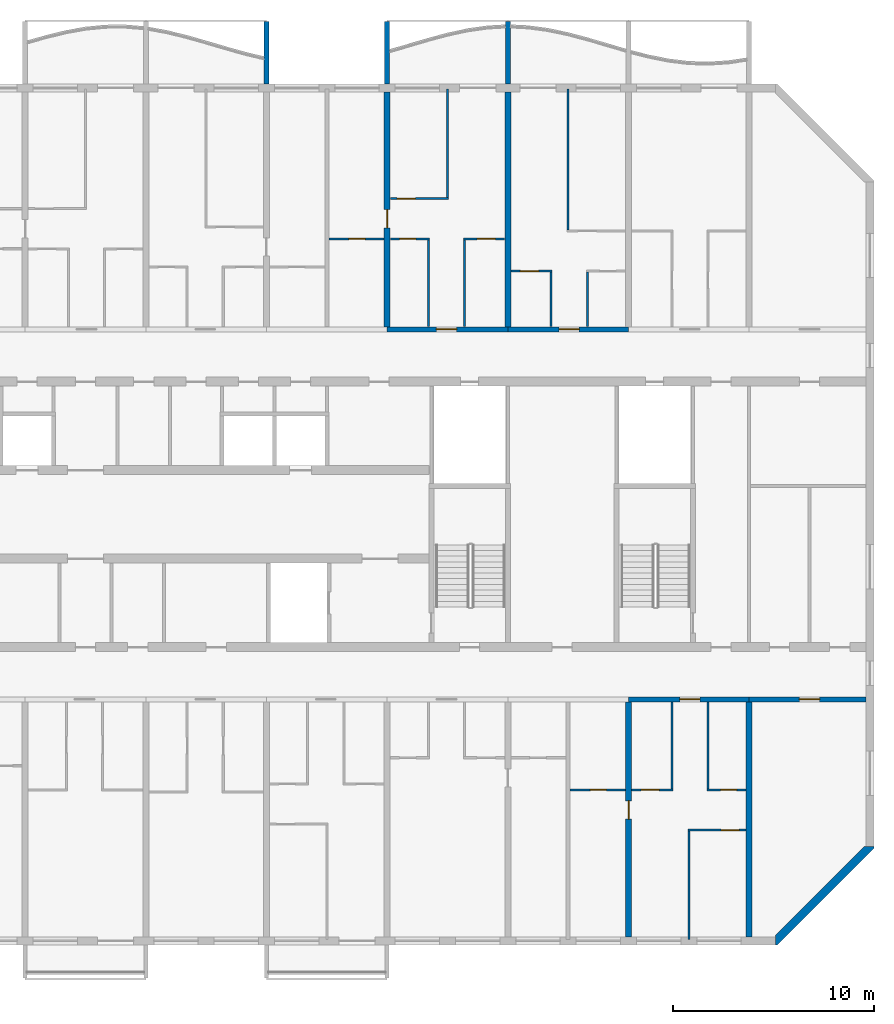
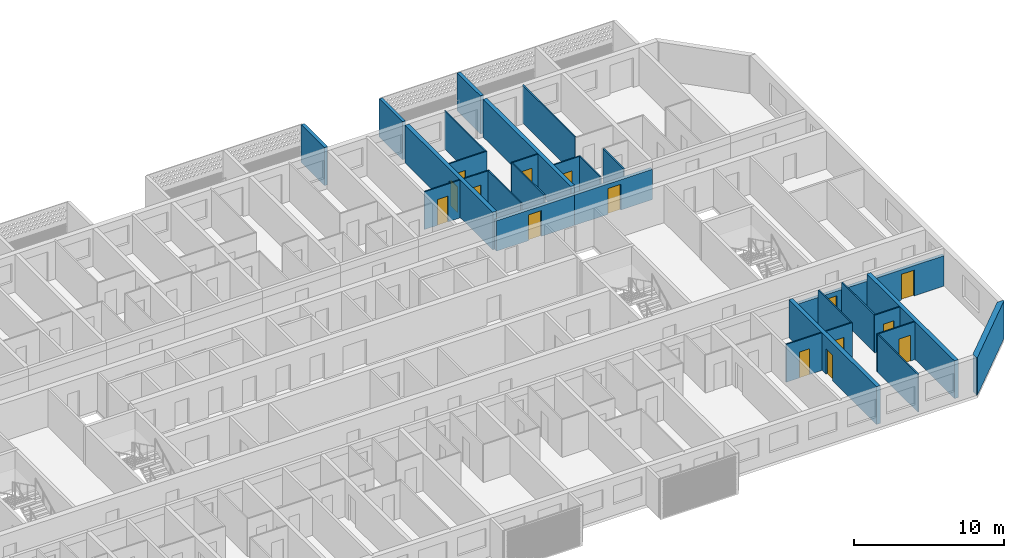
# One storey, part 11 of 31: 30 walls, 15 doors, 15 openings.
"""IFC4 building model written with IfcOpenShell, lengths in metres."""

from ifc_helpers import new_model, si_unit, direction, frame, frame_2d, origin, place, context, subcontext, project, spatial, polyline, rectangle, outline, extrude, source, transform, mapped, material, layer, layer_set, type_object, element, fill, save


model = new_model("IFC4")

# Units and contexts
model_context = context("Model", 3, precision=1e-05, world=origin(), true_north=direction((0.0, 1.0)))
body_context = subcontext(model_context, "Body", "Model", "MODEL_VIEW")
ifc_project = project(units=[si_unit("LENGTHUNIT", "METRE"), si_unit("AREAUNIT", "SQUARE_METRE"), si_unit("VOLUMEUNIT", "CUBIC_METRE"), si_unit("PLANEANGLEUNIT", "RADIAN"), si_unit("MASSUNIT", "GRAM", prefix="KILO")], contexts=[model_context])

# Site, building, storey
site_placement = place(None, origin())
site = spatial("IfcSite", under=ifc_project, at=site_placement, CompositionType="ELEMENT")
building_placement = place(site_placement, origin())
building = spatial("IfcBuilding", under=site, at=building_placement, Name="Poui Terraces", CompositionType="ELEMENT")
storey_placement = place(building_placement, frame((0.0, 0.0, 148.800048828125)))
storey = spatial("IfcBuildingStorey", under=building, at=storey_placement, Name="L41", CompositionType="ELEMENT", Elevation=148.800048828125)

# Wall, opening, door
ifc_material_1 = material(Name="Concrete 65 MPa", Category="concrete")
ifc_layer_1 = layer(ifc_material_1, 0.25)
ifc_layer_set_1 = layer_set([ifc_layer_1], Name="Concrete 65 MPa")
wall_type_1 = type_object("IfcWallType", Name="CORRIDOR WALL 250 65MPa", PredefinedType="SHEAR", material=ifc_layer_set_1)
wall_1_placement = place(storey_placement, frame((78.0, 12.0, 0.0), z_axis=(0.0, 0.0, 1.0), x_axis=(1.0, 0.0, 0.0)))
wall_1 = element("IfcWall", 1, at=wall_1_placement, inside=storey, type_object=wall_type_1, Name="CORRIDOR WALL LINE B BAY 12", PredefinedType="SHEAR", context=body_context, shape_type="SweptSolid", body=[
    extrude(rectangle(XDim=6.0, YDim=0.25, at=frame_2d((3.0, 0.0))), origin(), (0.0, 0.0, 1.0), 2.469970703125),
])
opening_1_placement = place(wall_1_placement, frame((2.550048828125, 0.0, 0.0)))
opening_1 = element("IfcOpeningElement", 2, at=opening_1_placement, cuts=wall_1, Name="Opening FD30S", PredefinedType="OPENING", context=body_context, shape_type="SweptSolid", body=[
    extrude(rectangle(XDim=1.0, YDim=2.10009765625, at=frame_2d((0.5, 1.050048828125))), frame((0.0, 0.135009765625, 0.0), z_axis=(0.0, -1.0, 0.0), x_axis=(1.0, 0.0, 0.0)), (0.0, 0.0, 1.0), 0.27001953125),
])
ifc_material_2 = material(Name="Steel fire door", Category="steel")
door_type_1 = type_object("IfcDoorType", Name="FLAT ENTRANCE DOOR 1000 X 2100", OperationType="NOTDEFINED", PredefinedType="DOOR", material=ifc_material_2)
door_1_placement = place(opening_1_placement, frame((1.0, 0.0, 0.0), z_axis=(0.0, 0.0, 1.0), x_axis=(-1.0, 0.0, 0.0)))
door_1 = element("IfcDoor", 3, at=door_1_placement, inside=storey, type_object=door_type_1, Name="FLAT ENTRANCE DOOR 116", OperationType="SINGLE_SWING_LEFT", OverallHeight=2.10009765625, OverallWidth=1.0, PredefinedType="DOOR", context=body_context, shape_type="SweptSolid", body=[
    extrude(rectangle(XDim=1.0, YDim=2.10009765625, at=frame_2d((0.5, 1.050048828125))), frame((0.0, 0.02490234375, 0.0), z_axis=(0.0, -1.0, 0.0), x_axis=(1.0, 0.0, 0.0)), (0.0, 0.0, 1.0), 0.050048828125),
])
fill(opening_1, door_1)

wall_2_placement = place(storey_placement, frame((84.0, 12.0, 0.0), z_axis=(0.0, 0.0, 1.0), x_axis=(1.0, 0.0, 0.0)))
wall_2 = element("IfcWall", 4, at=wall_2_placement, inside=storey, type_object=wall_type_1, Name="CORRIDOR WALL LINE B BAY 13", PredefinedType="SHEAR", context=body_context, shape_type="SweptSolid", body=[
    extrude(rectangle(XDim=5.800048828125, YDim=0.25, at=frame_2d((2.89990234375, 0.0))), origin(), (0.0, 0.0, 1.0), 2.469970703125),
])
opening_2_placement = place(wall_2_placement, frame((2.5, 0.0, 0.0)))
opening_2 = element("IfcOpeningElement", 5, at=opening_2_placement, cuts=wall_2, Name="Opening D100", PredefinedType="OPENING", context=body_context, shape_type="SweptSolid", body=[
    extrude(rectangle(XDim=1.0, YDim=2.10009765625, at=frame_2d((0.5, 1.050048828125))), frame((0.0, 0.135009765625, 0.0), z_axis=(0.0, -1.0, 0.0), x_axis=(1.0, 0.0, 0.0)), (0.0, 0.0, 1.0), 0.27001953125),
])
ifc_material_3 = material(Name="Solid core timber door", Category="wood")
door_type_2 = type_object("IfcDoorType", Name="ACCESSIBLE INTERNAL DOOR 1000 X 2100", OperationType="NOTDEFINED", PredefinedType="DOOR", material=ifc_material_3)
door_2_placement = place(opening_2_placement, frame((1.0, 0.0, 0.0), z_axis=(0.0, 0.0, 1.0), x_axis=(-1.0, 0.0, 0.0)))
door_2 = element("IfcDoor", 6, at=door_2_placement, inside=storey, type_object=door_type_2, Name="ACCESSIBLE INTERNAL DOOR 119", OperationType="SINGLE_SWING_RIGHT", OverallHeight=2.10009765625, OverallWidth=1.0, PredefinedType="DOOR", context=body_context, shape_type="SweptSolid", body=[
    extrude(rectangle(XDim=1.0, YDim=2.10009765625, at=frame_2d((0.5, 1.050048828125))), frame((0.0, 0.02490234375, 0.0), z_axis=(0.0, -1.0, 0.0), x_axis=(1.0, 0.0, 0.0)), (0.0, 0.0, 1.0), 0.050048828125),
])
fill(opening_2, door_2)

wall_3_placement = place(storey_placement, frame((66.0, 30.39990234375, 0.0), z_axis=(0.0, 0.0, 1.0), x_axis=(1.0, 0.0, 0.0)))
wall_3 = element("IfcWall", 7, at=wall_3_placement, inside=storey, type_object=wall_type_1, Name="CORRIDOR WALL LINE E BAY 10", PredefinedType="SHEAR", context=body_context, shape_type="SweptSolid", body=[
    extrude(rectangle(XDim=6.0, YDim=0.25, at=frame_2d((3.0, 0.0))), origin(), (0.0, 0.0, 1.0), 2.469970703125),
])
opening_3_placement = place(wall_3_placement, frame((2.449951171875, 0.0, 0.0)))
opening_3 = element("IfcOpeningElement", 8, at=opening_3_placement, cuts=wall_3, Name="Opening FD30S", PredefinedType="OPENING", context=body_context, shape_type="SweptSolid", body=[
    extrude(rectangle(XDim=1.0, YDim=2.10009765625, at=frame_2d((0.5, 1.050048828125))), frame((0.0, 0.135009765625, 0.0), z_axis=(0.0, -1.0, 0.0), x_axis=(1.0, 0.0, 0.0)), (0.0, 0.0, 1.0), 0.27001953125),
])
door_3_placement = place(opening_3_placement, origin())
door_3 = element("IfcDoor", 9, at=door_3_placement, inside=storey, type_object=door_type_1, Name="FLAT ENTRANCE DOOR 067", OperationType="SINGLE_SWING_LEFT", OverallHeight=2.10009765625, OverallWidth=1.0, PredefinedType="DOOR", context=body_context, shape_type="SweptSolid", body=[
    extrude(rectangle(XDim=1.0, YDim=2.10009765625, at=frame_2d((0.5, 1.050048828125))), frame((0.0, 0.02490234375, 0.0), z_axis=(0.0, -1.0, 0.0), x_axis=(1.0, 0.0, 0.0)), (0.0, 0.0, 1.0), 0.050048828125),
])
fill(opening_3, door_3)

wall_4_placement = place(storey_placement, frame((72.0, 30.39990234375, 0.0), z_axis=(0.0, 0.0, 1.0), x_axis=(1.0, 0.0, 0.0)))
wall_4 = element("IfcWall", 10, at=wall_4_placement, inside=storey, type_object=wall_type_1, Name="CORRIDOR WALL LINE E BAY 11", PredefinedType="SHEAR", context=body_context, shape_type="SweptSolid", body=[
    extrude(rectangle(XDim=6.0, YDim=0.25, at=frame_2d((3.0, 0.0))), origin(), (0.0, 0.0, 1.0), 2.469970703125),
])
opening_4_placement = place(wall_4_placement, frame((2.550048828125, 0.0, 0.0)))
opening_4 = element("IfcOpeningElement", 11, at=opening_4_placement, cuts=wall_4, Name="Opening FD30S", PredefinedType="OPENING", context=body_context, shape_type="SweptSolid", body=[
    extrude(rectangle(XDim=1.0, YDim=2.10009765625, at=frame_2d((0.5, 1.050048828125))), frame((0.0, 0.135009765625, 0.0), z_axis=(0.0, -1.0, 0.0), x_axis=(1.0, 0.0, 0.0)), (0.0, 0.0, 1.0), 0.27001953125),
])
door_4_placement = place(opening_4_placement, origin())
door_4 = element("IfcDoor", 12, at=door_4_placement, inside=storey, type_object=door_type_1, Name="FLAT ENTRANCE DOOR 070", OperationType="SINGLE_SWING_RIGHT", OverallHeight=2.10009765625, OverallWidth=1.0, PredefinedType="DOOR", context=body_context, shape_type="SweptSolid", body=[
    extrude(rectangle(XDim=1.0, YDim=2.10009765625, at=frame_2d((0.5, 1.050048828125))), frame((0.0, 0.02490234375, 0.0), z_axis=(0.0, -1.0, 0.0), x_axis=(1.0, 0.0, 0.0)), (0.0, 0.0, 1.0), 0.050048828125),
])
fill(opening_4, door_4)

ifc_layer_2 = layer(ifc_material_1, 0.300048828125)
ifc_layer_set_2 = layer_set([ifc_layer_2], Name="Concrete 65 MPa")
wall_type_2 = type_object("IfcWallType", Name="CROSS WALL 300 65MPa", PredefinedType="SHEAR", material=ifc_layer_set_2)
wall_5_placement = place(storey_placement, frame((66.0, 30.52490234375, 0.0), z_axis=(0.0, 0.0, 1.0), x_axis=(0.0, 1.0, 0.0)))
wall_5 = element("IfcWall", 13, at=wall_5_placement, inside=storey, type_object=wall_type_2, Name="CROSS WALL LINE 12 NORTH", PredefinedType="SHEAR", context=body_context, shape_type="SweptSolid", body=[
    extrude(rectangle(XDim=11.675048828125, YDim=0.300048828125, at=frame_2d((5.83740234375, 0.0))), origin(), (0.0, 0.0, 1.0), 3.070068359375),
])
opening_5_placement = place(wall_5_placement, frame((4.925048828125, 0.0, 0.0)))
opening_5 = element("IfcOpeningElement", 14, at=opening_5_placement, cuts=wall_5, Name="Opening D90", PredefinedType="OPENING", context=body_context, shape_type="SweptSolid", body=[
    extrude(rectangle(XDim=0.89990234375, YDim=2.10009765625, at=frame_2d((0.449951171875, 1.050048828125))), frame((0.0, 0.16015625, 0.0), z_axis=(0.0, -1.0, 0.0), x_axis=(1.0, 0.0, 0.0)), (0.0, 0.0, 1.0), 0.320068359375),
])
door_type_3 = type_object("IfcDoorType", Name="INTERNAL DOOR 900 X 2100", OperationType="NOTDEFINED", PredefinedType="DOOR", material=ifc_material_3)
door_5_placement = place(opening_5_placement, origin())
door_5 = element("IfcDoor", 15, at=door_5_placement, inside=storey, type_object=door_type_3, Name="INTERNAL DOOR 064", OperationType="SINGLE_SWING_LEFT", OverallHeight=2.10009765625, OverallWidth=0.89990234375, PredefinedType="DOOR", context=body_context, shape_type="SweptSolid", body=[
    extrude(rectangle(XDim=0.89990234375, YDim=2.10009765625, at=frame_2d((0.449951171875, 1.050048828125))), frame((0.0, 0.02490234375, 0.0), z_axis=(0.0, -1.0, 0.0), x_axis=(1.0, 0.0, 0.0)), (0.0, 0.0, 1.0), 0.050048828125),
])
fill(opening_5, door_5)

# Wall
wall_6_placement = place(storey_placement, frame((72.0, 30.52490234375, 0.0), z_axis=(0.0, 0.0, 1.0), x_axis=(0.0, 1.0, 0.0)))
element("IfcWall", 16, at=wall_6_placement, inside=storey, type_object=wall_type_2, Name="CROSS WALL LINE 13 NORTH", PredefinedType="SHEAR", context=body_context, shape_type="SweptSolid", body=[
    extrude(rectangle(XDim=11.675048828125, YDim=0.300048828125, at=frame_2d((5.83740234375, 0.0))), origin(), (0.0, 0.0, 1.0), 3.070068359375),
])

# Wall, opening, door
wall_7_placement = place(storey_placement, frame((78.0, 0.199951171875, 0.0), z_axis=(0.0, 0.0, 1.0), x_axis=(0.0, 1.0, 0.0)))
wall_7 = element("IfcWall", 17, at=wall_7_placement, inside=storey, type_object=wall_type_2, Name="CROSS WALL LINE 14 SOUTH", PredefinedType="SHEAR", context=body_context, shape_type="SweptSolid", body=[
    extrude(rectangle(XDim=11.675048828125, YDim=0.300048828125, at=frame_2d((5.83740234375, 0.0))), origin(), (0.0, 0.0, 1.0), 3.070068359375),
])
opening_6_placement = place(wall_7_placement, frame((5.85009765625, 0.0, 0.0)))
opening_6 = element("IfcOpeningElement", 18, at=opening_6_placement, cuts=wall_7, Name="Opening D90", PredefinedType="OPENING", context=body_context, shape_type="SweptSolid", body=[
    extrude(rectangle(XDim=0.89990234375, YDim=2.10009765625, at=frame_2d((0.449951171875, 1.050048828125))), frame((0.0, 0.16015625, 0.0), z_axis=(0.0, -1.0, 0.0), x_axis=(1.0, 0.0, 0.0)), (0.0, 0.0, 1.0), 0.320068359375),
])
door_6_placement = place(opening_6_placement, origin())
door_6 = element("IfcDoor", 19, at=door_6_placement, inside=storey, type_object=door_type_3, Name="INTERNAL DOOR 114", OperationType="SINGLE_SWING_RIGHT", OverallHeight=2.10009765625, OverallWidth=0.89990234375, PredefinedType="DOOR", context=body_context, shape_type="SweptSolid", body=[
    extrude(rectangle(XDim=0.89990234375, YDim=2.10009765625, at=frame_2d((0.449951171875, 1.050048828125))), frame((0.0, 0.02490234375, 0.0), z_axis=(0.0, -1.0, 0.0), x_axis=(1.0, 0.0, 0.0)), (0.0, 0.0, 1.0), 0.050048828125),
])
fill(opening_6, door_6)

# Wall
wall_8_placement = place(storey_placement, frame((84.0, 0.199951171875, 0.0), z_axis=(0.0, 0.0, 1.0), x_axis=(0.0, 1.0, 0.0)))
element("IfcWall", 20, at=wall_8_placement, inside=storey, type_object=wall_type_2, Name="CROSS WALL LINE 15 SOUTH", PredefinedType="SHEAR", context=body_context, shape_type="SweptSolid", body=[
    extrude(rectangle(XDim=11.675048828125, YDim=0.300048828125, at=frame_2d((5.83740234375, 0.0))), origin(), (0.0, 0.0, 1.0), 3.070068359375),
])

# Wall, opening, door
ifc_material_4 = material(Name="Plasterboard partition")
ifc_layer_3 = layer(ifc_material_4, 0.10009765625)
ifc_layer_set_3 = layer_set([ifc_layer_3], Name="Plasterboard partition")
wall_type_3 = type_object("IfcWallType", Name="FLAT PARTITION 100", PredefinedType="PARTITIONING", material=ifc_layer_set_3)
wall_9_placement = place(storey_placement, frame((80.949951171875, 5.5, 0.0), z_axis=(0.0, 0.0, 1.0), x_axis=(1.0, 0.0, 0.0)))
wall_9 = element("IfcWall", 21, at=wall_9_placement, inside=storey, type_object=wall_type_3, Name="FLAT PARTITION 100", PredefinedType="PARTITIONING", context=body_context, shape_type="SweptSolid", body=[
    extrude(rectangle(XDim=2.89013671875, YDim=0.10009765625, at=frame_2d((1.445068359375, 0.0))), origin(), (0.0, 0.0, 1.0), 3.070068359375),
])
opening_7_placement = place(wall_9_placement, frame((1.64990234375, 0.0, 0.0)))
opening_7 = element("IfcOpeningElement", 22, at=opening_7_placement, cuts=wall_9, Name="Opening D90", PredefinedType="OPENING", context=body_context, shape_type="SweptSolid", body=[
    extrude(rectangle(XDim=0.89990234375, YDim=2.10009765625, at=frame_2d((0.449951171875, 1.050048828125))), frame((0.0, 0.06005859375, 0.0), z_axis=(0.0, -1.0, 0.0), x_axis=(1.0, 0.0, 0.0)), (0.0, 0.0, 1.0), 0.1201171875),
])
door_7_placement = place(opening_7_placement, frame((0.89990234375, 0.0, 0.0), z_axis=(0.0, 0.0, 1.0), x_axis=(-1.0, 0.0, 0.0)))
door_7 = element("IfcDoor", 23, at=door_7_placement, inside=storey, type_object=door_type_3, Name="INTERNAL DOOR 118", OperationType="SINGLE_SWING_LEFT", OverallHeight=2.10009765625, OverallWidth=0.89990234375, PredefinedType="DOOR", context=body_context, shape_type="SweptSolid", body=[
    extrude(rectangle(XDim=0.89990234375, YDim=2.10009765625, at=frame_2d((0.449951171875, 1.050048828125))), frame((0.0, 0.02490234375, 0.0), z_axis=(0.0, -1.0, 0.0), x_axis=(1.0, 0.0, 0.0)), (0.0, 0.0, 1.0), 0.050048828125),
])
fill(opening_7, door_7)

wall_10_placement = place(storey_placement, frame((75.10009765625, 7.5, 0.0), z_axis=(0.0, 0.0, 1.0), x_axis=(1.0, 0.0, 0.0)))
wall_10 = element("IfcWall", 24, at=wall_10_placement, inside=storey, type_object=wall_type_3, Name="FLAT PARTITION 100", PredefinedType="PARTITIONING", context=body_context, shape_type="SweptSolid", body=[
    extrude(rectangle(XDim=2.739990234375, YDim=0.10009765625, at=frame_2d((1.3701171875, 0.0))), origin(), (0.0, 0.0, 1.0), 3.070068359375),
])
opening_8_placement = place(wall_10_placement, frame((1.0, 0.0, 0.0)))
opening_8 = element("IfcOpeningElement", 25, at=opening_8_placement, cuts=wall_10, Name="Opening D80", PredefinedType="OPENING", context=body_context, shape_type="SweptSolid", body=[
    extrude(rectangle(XDim=0.800048828125, YDim=2.10009765625, at=frame_2d((0.39990234375, 1.050048828125))), frame((0.0, 0.06005859375, 0.0), z_axis=(0.0, -1.0, 0.0), x_axis=(1.0, 0.0, 0.0)), (0.0, 0.0, 1.0), 0.1201171875),
])
door_type_4 = type_object("IfcDoorType", Name="BATHROOM, LAUNDRY AND STORE DOOR 800 X 2100", OperationType="NOTDEFINED", PredefinedType="DOOR", material=ifc_material_3)
door_8_placement = place(opening_8_placement, origin())
door_8 = element("IfcDoor", 26, at=door_8_placement, inside=storey, type_object=door_type_4, Name="BATHROOM, LAUNDRY AND STORE DOOR 113", OperationType="SINGLE_SWING_LEFT", OverallHeight=2.10009765625, OverallWidth=0.800048828125, PredefinedType="DOOR", context=body_context, shape_type="SweptSolid", body=[
    extrude(rectangle(XDim=0.800048828125, YDim=2.10009765625, at=frame_2d((0.39990234375, 1.050048828125))), frame((0.0, 0.02490234375, 0.0), z_axis=(0.0, -1.0, 0.0), x_axis=(1.0, 0.0, 0.0)), (0.0, 0.0, 1.0), 0.050048828125),
])
fill(opening_8, door_8)

wall_11_placement = place(storey_placement, frame((78.159912109375, 7.5, 0.0), z_axis=(0.0, 0.0, 1.0), x_axis=(1.0, 0.0, 0.0)))
wall_11 = element("IfcWall", 27, at=wall_11_placement, inside=storey, type_object=wall_type_3, Name="FLAT PARTITION 100", PredefinedType="PARTITIONING", context=body_context, shape_type="SweptSolid", body=[
    extrude(rectangle(XDim=2.0400390625, YDim=0.10009765625, at=frame_2d((1.02001953125, 0.0))), origin(), (0.0, 0.0, 1.0), 3.070068359375),
])
opening_9_placement = place(wall_11_placement, frame((0.465087890625, 0.0, 0.0)))
opening_9 = element("IfcOpeningElement", 28, at=opening_9_placement, cuts=wall_11, Name="Opening D90", PredefinedType="OPENING", context=body_context, shape_type="SweptSolid", body=[
    extrude(rectangle(XDim=0.89990234375, YDim=2.10009765625, at=frame_2d((0.449951171875, 1.050048828125))), frame((0.0, 0.06005859375, 0.0), z_axis=(0.0, -1.0, 0.0), x_axis=(1.0, 0.0, 0.0)), (0.0, 0.0, 1.0), 0.1201171875),
])
door_9_placement = place(opening_9_placement, origin())
door_9 = element("IfcDoor", 29, at=door_9_placement, inside=storey, type_object=door_type_3, Name="INTERNAL DOOR 115", OperationType="SINGLE_SWING_LEFT", OverallHeight=2.10009765625, OverallWidth=0.89990234375, PredefinedType="DOOR", context=body_context, shape_type="SweptSolid", body=[
    extrude(rectangle(XDim=0.89990234375, YDim=2.10009765625, at=frame_2d((0.449951171875, 1.050048828125))), frame((0.0, 0.02490234375, 0.0), z_axis=(0.0, -1.0, 0.0), x_axis=(1.0, 0.0, 0.0)), (0.0, 0.0, 1.0), 0.050048828125),
])
fill(opening_9, door_9)

wall_12_placement = place(storey_placement, frame((81.89990234375, 7.5, 0.0), z_axis=(0.0, 0.0, 1.0), x_axis=(1.0, 0.0, 0.0)))
wall_12 = element("IfcWall", 30, at=wall_12_placement, inside=storey, type_object=wall_type_3, Name="FLAT PARTITION 100", PredefinedType="PARTITIONING", context=body_context, shape_type="SweptSolid", body=[
    extrude(rectangle(XDim=1.940185546875, YDim=0.10009765625, at=frame_2d((0.97021484375, 0.0))), origin(), (0.0, 0.0, 1.0), 3.070068359375),
])
opening_10_placement = place(wall_12_placement, frame((0.675048828125, 0.0, 0.0)))
opening_10 = element("IfcOpeningElement", 31, at=opening_10_placement, cuts=wall_12, Name="Opening D80", PredefinedType="OPENING", context=body_context, shape_type="SweptSolid", body=[
    extrude(rectangle(XDim=0.800048828125, YDim=2.10009765625, at=frame_2d((0.39990234375, 1.050048828125))), frame((0.0, 0.06005859375, 0.0), z_axis=(0.0, -1.0, 0.0), x_axis=(1.0, 0.0, 0.0)), (0.0, 0.0, 1.0), 0.1201171875),
])
door_10_placement = place(opening_10_placement, origin())
door_10 = element("IfcDoor", 32, at=door_10_placement, inside=storey, type_object=door_type_4, Name="BATHROOM, LAUNDRY AND STORE DOOR 117", OperationType="SINGLE_SWING_RIGHT", OverallHeight=2.10009765625, OverallWidth=0.800048828125, PredefinedType="DOOR", context=body_context, shape_type="SweptSolid", body=[
    extrude(rectangle(XDim=0.800048828125, YDim=2.10009765625, at=frame_2d((0.39990234375, 1.050048828125))), frame((0.0, 0.02490234375, 0.0), z_axis=(0.0, -1.0, 0.0), x_axis=(1.0, 0.0, 0.0)), (0.0, 0.0, 1.0), 0.050048828125),
])
fill(opening_10, door_10)

wall_13_placement = place(storey_placement, frame((72.159912109375, 33.300048828125, 0.0), z_axis=(0.0, 0.0, 1.0), x_axis=(1.0, 0.0, 0.0)))
wall_13 = element("IfcWall", 33, at=wall_13_placement, inside=storey, type_object=wall_type_3, Name="FLAT PARTITION 100", PredefinedType="PARTITIONING", context=body_context, shape_type="SweptSolid", body=[
    extrude(rectangle(XDim=2.0400390625, YDim=0.10009765625, at=frame_2d((1.02001953125, 0.0))), origin(), (0.0, 0.0, 1.0), 3.070068359375),
])
opening_11_placement = place(wall_13_placement, frame((0.465087890625, 0.0, 0.0)))
opening_11 = element("IfcOpeningElement", 34, at=opening_11_placement, cuts=wall_13, Name="Opening D90", PredefinedType="OPENING", context=body_context, shape_type="SweptSolid", body=[
    extrude(rectangle(XDim=0.89990234375, YDim=2.10009765625, at=frame_2d((0.449951171875, 1.050048828125))), frame((0.0, 0.06005859375, 0.0), z_axis=(0.0, -1.0, 0.0), x_axis=(1.0, 0.0, 0.0)), (0.0, 0.0, 1.0), 0.1201171875),
])
door_11_placement = place(opening_11_placement, frame((0.89990234375, 0.0, 0.0), z_axis=(0.0, 0.0, 1.0), x_axis=(-1.0, 0.0, 0.0)))
door_11 = element("IfcDoor", 35, at=door_11_placement, inside=storey, type_object=door_type_3, Name="INTERNAL DOOR 069", OperationType="SINGLE_SWING_LEFT", OverallHeight=2.10009765625, OverallWidth=0.89990234375, PredefinedType="DOOR", context=body_context, shape_type="SweptSolid", body=[
    extrude(rectangle(XDim=0.89990234375, YDim=2.10009765625, at=frame_2d((0.449951171875, 1.050048828125))), frame((0.0, 0.02490234375, 0.0), z_axis=(0.0, -1.0, 0.0), x_axis=(1.0, 0.0, 0.0)), (0.0, 0.0, 1.0), 0.050048828125),
])
fill(opening_11, door_11)

wall_14_placement = place(storey_placement, frame((63.10009765625, 34.89990234375, 0.0), z_axis=(0.0, 0.0, 1.0), x_axis=(1.0, 0.0, 0.0)))
wall_14 = element("IfcWall", 36, at=wall_14_placement, inside=storey, type_object=wall_type_3, Name="FLAT PARTITION 100", PredefinedType="PARTITIONING", context=body_context, shape_type="SweptSolid", body=[
    extrude(rectangle(XDim=2.739990234375, YDim=0.10009765625, at=frame_2d((1.3701171875, 0.0))), origin(), (0.0, 0.0, 1.0), 3.070068359375),
])
opening_12_placement = place(wall_14_placement, frame((1.0, 0.0, 0.0)))
opening_12 = element("IfcOpeningElement", 37, at=opening_12_placement, cuts=wall_14, Name="Opening D80", PredefinedType="OPENING", context=body_context, shape_type="SweptSolid", body=[
    extrude(rectangle(XDim=0.800048828125, YDim=2.10009765625, at=frame_2d((0.39990234375, 1.050048828125))), frame((0.0, 0.06005859375, 0.0), z_axis=(0.0, -1.0, 0.0), x_axis=(1.0, 0.0, 0.0)), (0.0, 0.0, 1.0), 0.1201171875),
])
door_12_placement = place(opening_12_placement, frame((0.800048828125, 0.0, 0.0), z_axis=(0.0, 0.0, 1.0), x_axis=(-1.0, 0.0, 0.0)))
door_12 = element("IfcDoor", 38, at=door_12_placement, inside=storey, type_object=door_type_4, Name="BATHROOM, LAUNDRY AND STORE DOOR 063", OperationType="SINGLE_SWING_RIGHT", OverallHeight=2.10009765625, OverallWidth=0.800048828125, PredefinedType="DOOR", context=body_context, shape_type="SweptSolid", body=[
    extrude(rectangle(XDim=0.800048828125, YDim=2.10009765625, at=frame_2d((0.39990234375, 1.050048828125))), frame((0.0, 0.02490234375, 0.0), z_axis=(0.0, -1.0, 0.0), x_axis=(1.0, 0.0, 0.0)), (0.0, 0.0, 1.0), 0.050048828125),
])
fill(opening_12, door_12)

wall_15_placement = place(storey_placement, frame((66.159912109375, 34.89990234375, 0.0), z_axis=(0.0, 0.0, 1.0), x_axis=(1.0, 0.0, 0.0)))
wall_15 = element("IfcWall", 39, at=wall_15_placement, inside=storey, type_object=wall_type_3, Name="FLAT PARTITION 100", PredefinedType="PARTITIONING", context=body_context, shape_type="SweptSolid", body=[
    extrude(rectangle(XDim=1.940185546875, YDim=0.10009765625, at=frame_2d((0.97021484375, 0.0))), origin(), (0.0, 0.0, 1.0), 3.070068359375),
])
opening_13_placement = place(wall_15_placement, frame((0.465087890625, 0.0, 0.0)))
opening_13 = element("IfcOpeningElement", 40, at=opening_13_placement, cuts=wall_15, Name="Opening D80", PredefinedType="OPENING", context=body_context, shape_type="SweptSolid", body=[
    extrude(rectangle(XDim=0.800048828125, YDim=2.10009765625, at=frame_2d((0.39990234375, 1.050048828125))), frame((0.0, 0.06005859375, 0.0), z_axis=(0.0, -1.0, 0.0), x_axis=(1.0, 0.0, 0.0)), (0.0, 0.0, 1.0), 0.1201171875),
])
door_13_placement = place(opening_13_placement, frame((0.800048828125, 0.0, 0.0), z_axis=(0.0, 0.0, 1.0), x_axis=(-1.0, 0.0, 0.0)))
door_13 = element("IfcDoor", 41, at=door_13_placement, inside=storey, type_object=door_type_4, Name="BATHROOM, LAUNDRY AND STORE DOOR 066", OperationType="SINGLE_SWING_RIGHT", OverallHeight=2.10009765625, OverallWidth=0.800048828125, PredefinedType="DOOR", context=body_context, shape_type="SweptSolid", body=[
    extrude(rectangle(XDim=0.800048828125, YDim=2.10009765625, at=frame_2d((0.39990234375, 1.050048828125))), frame((0.0, 0.02490234375, 0.0), z_axis=(0.0, -1.0, 0.0), x_axis=(1.0, 0.0, 0.0)), (0.0, 0.0, 1.0), 0.050048828125),
])
fill(opening_13, door_13)

wall_16_placement = place(storey_placement, frame((69.800048828125, 34.89990234375, 0.0), z_axis=(0.0, 0.0, 1.0), x_axis=(1.0, 0.0, 0.0)))
wall_16 = element("IfcWall", 42, at=wall_16_placement, inside=storey, type_object=wall_type_3, Name="FLAT PARTITION 100", PredefinedType="PARTITIONING", context=body_context, shape_type="SweptSolid", body=[
    extrude(rectangle(XDim=2.0400390625, YDim=0.10009765625, at=frame_2d((1.02001953125, 0.0))), origin(), (0.0, 0.0, 1.0), 3.070068359375),
])
opening_14_placement = place(wall_16_placement, frame((0.675048828125, 0.0, 0.0)))
opening_14 = element("IfcOpeningElement", 43, at=opening_14_placement, cuts=wall_16, Name="Opening D90", PredefinedType="OPENING", context=body_context, shape_type="SweptSolid", body=[
    extrude(rectangle(XDim=0.89990234375, YDim=2.10009765625, at=frame_2d((0.449951171875, 1.050048828125))), frame((0.0, 0.06005859375, 0.0), z_axis=(0.0, -1.0, 0.0), x_axis=(1.0, 0.0, 0.0)), (0.0, 0.0, 1.0), 0.1201171875),
])
door_14_placement = place(opening_14_placement, frame((0.89990234375, 0.0, 0.0), z_axis=(0.0, 0.0, 1.0), x_axis=(-1.0, 0.0, 0.0)))
door_14 = element("IfcDoor", 44, at=door_14_placement, inside=storey, type_object=door_type_3, Name="INTERNAL DOOR 068", OperationType="SINGLE_SWING_LEFT", OverallHeight=2.10009765625, OverallWidth=0.89990234375, PredefinedType="DOOR", context=body_context, shape_type="SweptSolid", body=[
    extrude(rectangle(XDim=0.89990234375, YDim=2.10009765625, at=frame_2d((0.449951171875, 1.050048828125))), frame((0.0, 0.02490234375, 0.0), z_axis=(0.0, -1.0, 0.0), x_axis=(1.0, 0.0, 0.0)), (0.0, 0.0, 1.0), 0.050048828125),
])
fill(opening_14, door_14)

wall_17_placement = place(storey_placement, frame((66.159912109375, 36.89990234375, 0.0), z_axis=(0.0, 0.0, 1.0), x_axis=(1.0, 0.0, 0.0)))
wall_17 = element("IfcWall", 45, at=wall_17_placement, inside=storey, type_object=wall_type_3, Name="FLAT PARTITION 100", PredefinedType="PARTITIONING", context=body_context, shape_type="SweptSolid", body=[
    extrude(rectangle(XDim=2.89013671875, YDim=0.10009765625, at=frame_2d((1.445068359375, 0.0))), origin(), (0.0, 0.0, 1.0), 3.070068359375),
])
opening_15_placement = place(wall_17_placement, frame((0.340087890625, 0.0, 0.0)))
opening_15 = element("IfcOpeningElement", 46, at=opening_15_placement, cuts=wall_17, Name="Opening D90", PredefinedType="OPENING", context=body_context, shape_type="SweptSolid", body=[
    extrude(rectangle(XDim=0.89990234375, YDim=2.10009765625, at=frame_2d((0.449951171875, 1.050048828125))), frame((0.0, 0.06005859375, 0.0), z_axis=(0.0, -1.0, 0.0), x_axis=(1.0, 0.0, 0.0)), (0.0, 0.0, 1.0), 0.1201171875),
])
door_15_placement = place(opening_15_placement, origin())
door_15 = element("IfcDoor", 47, at=door_15_placement, inside=storey, type_object=door_type_3, Name="INTERNAL DOOR 065", OperationType="SINGLE_SWING_LEFT", OverallHeight=2.10009765625, OverallWidth=0.89990234375, PredefinedType="DOOR", context=body_context, shape_type="SweptSolid", body=[
    extrude(rectangle(XDim=0.89990234375, YDim=2.10009765625, at=frame_2d((0.449951171875, 1.050048828125))), frame((0.0, 0.02490234375, 0.0), z_axis=(0.0, -1.0, 0.0), x_axis=(1.0, 0.0, 0.0)), (0.0, 0.0, 1.0), 0.050048828125),
])
fill(opening_15, door_15)

# Walls
wall_18_placement = place(storey_placement, frame((68.050048828125, 30.534912109375, 0.0), z_axis=(0.0, 0.0, 1.0), x_axis=(0.0, 1.0, 0.0)))
element("IfcWall", 48, at=wall_18_placement, inside=storey, type_object=wall_type_3, Name="FLAT PARTITION 100", PredefinedType="PARTITIONING", context=body_context, shape_type="SweptSolid", body=[
    extrude(rectangle(XDim=4.315185546875, YDim=0.10009765625, at=frame_2d((2.15771484375, 0.0))), origin(), (0.0, 0.0, 1.0), 3.070068359375),
])
wall_19_placement = place(storey_placement, frame((69.0, 36.949951171875, 0.0), z_axis=(0.0, 0.0, 1.0), x_axis=(0.0, 1.0, 0.0)))
element("IfcWall", 49, at=wall_19_placement, inside=storey, type_object=wall_type_3, Name="FLAT PARTITION 100", PredefinedType="PARTITIONING", context=body_context, shape_type="SweptSolid", body=[
    extrude(rectangle(XDim=5.39013671875, YDim=0.10009765625, at=frame_2d((2.695068359375, 0.0))), origin(), (0.0, 0.0, 1.0), 3.070068359375),
])
wall_20_placement = place(storey_placement, frame((69.85009765625, 30.534912109375, 0.0), z_axis=(0.0, 0.0, 1.0), x_axis=(0.0, 1.0, 0.0)))
element("IfcWall", 50, at=wall_20_placement, inside=storey, type_object=wall_type_3, Name="FLAT PARTITION 100", PredefinedType="PARTITIONING", context=body_context, shape_type="SweptSolid", body=[
    extrude(rectangle(XDim=4.315185546875, YDim=0.10009765625, at=frame_2d((2.15771484375, 0.0))), origin(), (0.0, 0.0, 1.0), 3.070068359375),
])
wall_21_placement = place(storey_placement, frame((74.14990234375, 30.534912109375, 0.0), z_axis=(0.0, 0.0, 1.0), x_axis=(0.0, 1.0, 0.0)))
element("IfcWall", 51, at=wall_21_placement, inside=storey, type_object=wall_type_3, Name="FLAT PARTITION 100", PredefinedType="PARTITIONING", context=body_context, shape_type="SweptSolid", body=[
    extrude(rectangle(XDim=2.715087890625, YDim=0.10009765625, at=frame_2d((1.357421875, 0.0))), origin(), (0.0, 0.0, 1.0), 3.070068359375),
])
wall_22_placement = place(storey_placement, frame((75.0, 35.35009765625, 0.0), z_axis=(0.0, 0.0, 1.0), x_axis=(0.0, 1.0, 0.0)))
element("IfcWall", 52, at=wall_22_placement, inside=storey, type_object=wall_type_3, Name="FLAT PARTITION 100", PredefinedType="PARTITIONING", context=body_context, shape_type="SweptSolid", body=[
    extrude(rectangle(XDim=6.989990234375, YDim=0.10009765625, at=frame_2d((3.4951171875, 0.0))), origin(), (0.0, 0.0, 1.0), 3.070068359375),
])
wall_23_placement = place(storey_placement, frame((75.949951171875, 30.534912109375, 0.0), z_axis=(0.0, 0.0, 1.0), x_axis=(0.0, 1.0, 0.0)))
element("IfcWall", 53, at=wall_23_placement, inside=storey, type_object=wall_type_3, Name="FLAT PARTITION 100", PredefinedType="PARTITIONING", context=body_context, shape_type="SweptSolid", body=[
    extrude(rectangle(XDim=2.715087890625, YDim=0.10009765625, at=frame_2d((1.357421875, 0.0))), origin(), (0.0, 0.0, 1.0), 3.070068359375),
])
wall_24_placement = place(storey_placement, frame((80.14990234375, 7.550048828125, 0.0), z_axis=(0.0, 0.0, 1.0), x_axis=(0.0, 1.0, 0.0)))
element("IfcWall", 54, at=wall_24_placement, inside=storey, type_object=wall_type_3, Name="FLAT PARTITION 100", PredefinedType="PARTITIONING", context=body_context, shape_type="SweptSolid", body=[
    extrude(rectangle(XDim=4.31494140625, YDim=0.10009765625, at=frame_2d((2.157470703125, 0.0))), origin(), (0.0, 0.0, 1.0), 3.070068359375),
])
wall_25_placement = place(storey_placement, frame((81.0, 0.06005859375, 0.0), z_axis=(0.0, 0.0, 1.0), x_axis=(0.0, 1.0, 0.0)))
element("IfcWall", 55, at=wall_25_placement, inside=storey, type_object=wall_type_3, Name="FLAT PARTITION 100", PredefinedType="PARTITIONING", context=body_context, shape_type="SweptSolid", body=[
    extrude(rectangle(XDim=5.389892578125, YDim=0.10009765625, at=frame_2d((2.69482421875, 0.0))), origin(), (0.0, 0.0, 1.0), 3.070068359375),
])
wall_26_placement = place(storey_placement, frame((81.949951171875, 7.550048828125, 0.0), z_axis=(0.0, 0.0, 1.0), x_axis=(0.0, 1.0, 0.0)))
element("IfcWall", 56, at=wall_26_placement, inside=storey, type_object=wall_type_3, Name="FLAT PARTITION 100", PredefinedType="PARTITIONING", context=body_context, shape_type="SweptSolid", body=[
    extrude(rectangle(XDim=4.31494140625, YDim=0.10009765625, at=frame_2d((2.157470703125, 0.0))), origin(), (0.0, 0.0, 1.0), 3.070068359375),
])
ifc_material_5 = material(Name="Precast concrete 40 MPa", Category="concrete")
ifc_layer_4 = layer(ifc_material_5, 0.39990234375)
ifc_layer_set_4 = layer_set([ifc_layer_4], Name="Precast concrete 40 MPa")
wall_type_4 = type_object("IfcWallType", Name="TERRACOTTA CLAD CHAMFER WALL 400", PredefinedType="STANDARD", material=ifc_layer_set_4)
wall_27_placement = place(storey_placement, origin())
element("IfcWall", 57, at=wall_27_placement, inside=storey, type_object=wall_type_4, Name="CHAMFER WALL CH01", PredefinedType="STANDARD", context=body_context, shape_type="SweptSolid", body=[
    extrude(outline(polyline([(85.317138671875, -0.199951171875), (85.39990234375, -0.199951171875), (90.199951171875, 4.60009765625), (90.199951171875, 4.682861328125), (89.71728515625, 4.682861328125), (85.317138671875, 0.28271484375), (85.317138671875, -0.199951171875)])), origin(), (0.0, 0.0, 1.0), 3.070068359375),
])
ifc_layer_5 = layer(ifc_material_5, 0.25)
ifc_layer_set_5 = layer_set([ifc_layer_5], Name="Precast concrete 40 MPa")
wall_type_5 = type_object("IfcWallType", Name="BALCONY FIN 250", PredefinedType="STANDARD", material=ifc_layer_set_5)
shared_shape = source(origin(), body_context, "Body", "SweptSolid", [
    extrude(outline(polyline([(0.0, 0.0), (0.25, 0.0), (0.25, 3.099853515625), (0.0, 3.099853515625), (0.0, 0.0)])), origin(), (0.0, 0.0, 1.0), 3.099853515625),
])
for number, where, name in (
    (58, (59.875, 42.60009765625, 0.0), "BALCONY FIN"),
    (59, (65.875, 42.60009765625, 0.0), "BALCONY FIN"),
    (60, (71.875, 42.60009765625, 0.0), "BALCONY FIN"),
):
    element("IfcWall", number, at=place(storey_placement, frame(where)), inside=storey, type_object=wall_type_5, Name=name, PredefinedType="STANDARD", context=body_context, shape_type="MappedRepresentation", body=[
        mapped(shared_shape, transform((0.0, 0.0, 0.0))),
    ])

save(model, "model.ifc")
